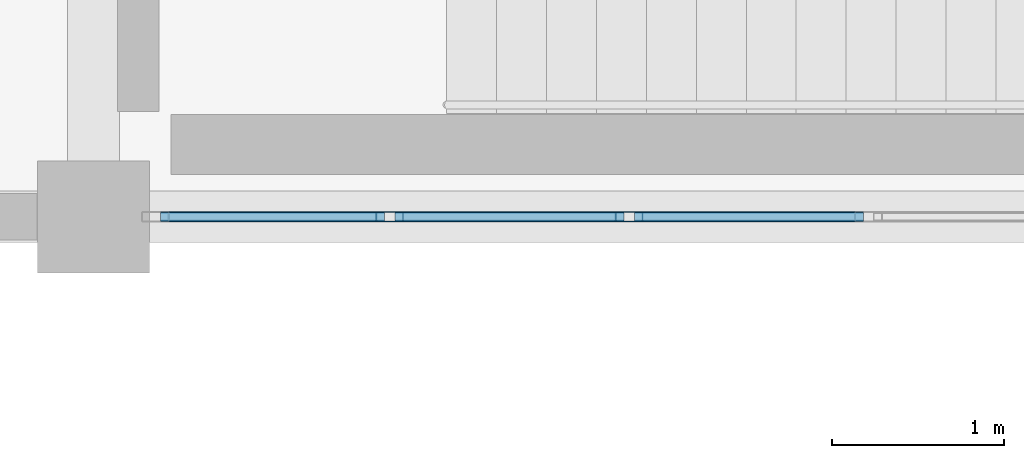
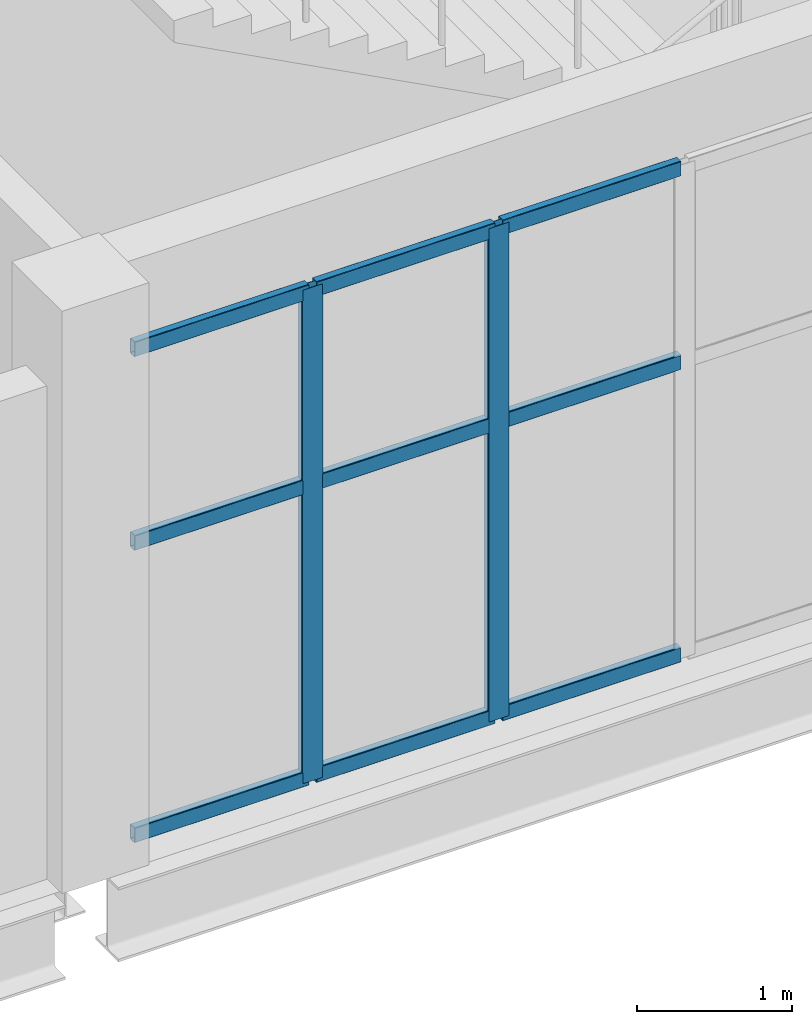
# One storey, part 119 of 172: 11 members, 1 element without a shape of its own.
"""IFC4 building model written with IfcOpenShell, lengths in metres."""

from ifc_helpers import new_model, si_unit, direction, frame, origin, origin_2d, place, context, subcontext, project, spatial, hollow_rectangle, extrude, material, material_profile, profile_set, type_object, element, aggregate, save


model = new_model("IFC4")

# Units and contexts
model_context = context("Model", 3, precision=1e-05, world=origin(), true_north=direction((0.0, 1.0)))
body_context = subcontext(model_context, "Body", "Model", "MODEL_VIEW")
ifc_project = project(units=[si_unit("LENGTHUNIT", "METRE"), si_unit("AREAUNIT", "SQUARE_METRE"), si_unit("VOLUMEUNIT", "CUBIC_METRE"), si_unit("PLANEANGLEUNIT", "RADIAN"), si_unit("MASSUNIT", "GRAM", prefix="KILO")], contexts=[model_context])

# Site, building, storey
site_placement = place(None, origin())
site = spatial("IfcSite", under=ifc_project, at=site_placement, CompositionType="ELEMENT")
building_placement = place(site_placement, origin())
building = spatial("IfcBuilding", under=site, at=building_placement, Name="Shengluoqiao Park Theatre", CompositionType="ELEMENT")
storey_placement = place(building_placement, frame((0.0, 0.0, 5.39990234375)))
storey = spatial("IfcBuildingStorey", under=building, at=storey_placement, Name="L01", CompositionType="ELEMENT", Elevation=5.39990234375)

# Curtain wall, members
ifc_material = material(Name="Aluminium 6063-T6", Category="aluminium")
curtain_wall_type = type_object("IfcCurtainWallType", Name="ENV-CW-CLERE", PredefinedType="NOTDEFINED", material=ifc_material)
curtain_wall_placement = place(storey_placement, origin())
curtain_wall = element("IfcCurtainWall", 1, at=curtain_wall_placement, inside=storey, type_object=curtain_wall_type, Name="L01 Curtain Wall CWX-L01-0178", PredefinedType="NOTDEFINED")
ifc_material_profile_1 = material_profile(ifc_material, hollow_rectangle(XDim=0.06005859375, YDim=0.159912109375, WallThickness=0.00390625, InnerFilletRadius=0.00390625, OuterFilletRadius=0.008056640625, at=origin_2d()), Name="ALU MULLION 160x60x4")
ifc_profile_set_1 = profile_set([ifc_material_profile_1], Name="Aluminium 6063-T6")
member_type_1 = type_object("IfcMemberType", Name="ENV-MUL-160", PredefinedType="MULLION", material=ifc_profile_set_1)
member_1_placement = place(storey_placement, frame((141.119384765625, 84.0, 0.0), z_axis=(0.0, 0.0, 1.0), x_axis=(0.0, 1.0, 0.0)))
member_1 = element("IfcMember", 2, at=member_1_placement, type_object=member_type_1, Name="CW-06 mullion 2", PredefinedType="MULLION", context=body_context, shape_type="SweptSolid", body=[
    extrude(hollow_rectangle(XDim=0.06005859375, YDim=0.159912109375, WallThickness=0.00390625, InnerFilletRadius=0.00390625, OuterFilletRadius=0.008056640625, at=origin_2d()), origin(), (0.0, 0.0, 1.0), 3.898193359375),
])
member_2_placement = place(storey_placement, frame((142.509765625, 84.0, 0.0), z_axis=(0.0, 0.0, 1.0), x_axis=(0.0, 1.0, 0.0)))
member_2 = element("IfcMember", 3, at=member_2_placement, type_object=member_type_1, Name="CW-06 mullion 3", PredefinedType="MULLION", context=body_context, shape_type="SweptSolid", body=[
    extrude(hollow_rectangle(XDim=0.06005859375, YDim=0.159912109375, WallThickness=0.00390625, InnerFilletRadius=0.00390625, OuterFilletRadius=0.008056640625, at=origin_2d()), origin(), (0.0, 0.0, 1.0), 3.898193359375),
])
ifc_material_profile_2 = material_profile(ifc_material, hollow_rectangle(XDim=0.06005859375, YDim=0.1201171875, WallThickness=0.00390625, InnerFilletRadius=0.00390625, OuterFilletRadius=0.008056640625, at=origin_2d()), Name="ALU TRANSOM 120x60x4")
ifc_profile_set_2 = profile_set([ifc_material_profile_2], Name="Aluminium 6063-T6")
member_type_2 = type_object("IfcMemberType", Name="ENV-TRN-120", PredefinedType="USERDEFINED", material=ifc_profile_set_2)
member_3_placement = place(storey_placement, frame((139.7890625, 84.0, 0.030029296875), z_axis=(1.0, 0.0, 0.0), x_axis=(0.0, 1.0, 0.0)))
member_3 = element("IfcMember", 4, at=member_3_placement, type_object=member_type_2, Name="CW-06 transom 1.1", ObjectType="TRANSOM", PredefinedType="USERDEFINED", context=body_context, shape_type="SweptSolid", body=[
    extrude(hollow_rectangle(XDim=0.06005859375, YDim=0.1201171875, WallThickness=0.00390625, InnerFilletRadius=0.00390625, OuterFilletRadius=0.008056640625, at=origin_2d()), origin(), (0.0, 0.0, 1.0), 1.30029296875),
])
member_4_placement = place(storey_placement, frame((139.7890625, 84.0, 2.339111328125), z_axis=(1.0, 0.0, 0.0), x_axis=(0.0, 1.0, 0.0)))
member_4 = element("IfcMember", 5, at=member_4_placement, type_object=member_type_2, Name="CW-06 transom 1.2", ObjectType="TRANSOM", PredefinedType="USERDEFINED", context=body_context, shape_type="SweptSolid", body=[
    extrude(hollow_rectangle(XDim=0.06005859375, YDim=0.1201171875, WallThickness=0.00390625, InnerFilletRadius=0.00390625, OuterFilletRadius=0.008056640625, at=origin_2d()), origin(), (0.0, 0.0, 1.0), 1.30029296875),
])
member_5_placement = place(storey_placement, frame((139.7890625, 84.0, 3.8681640625), z_axis=(1.0, 0.0, 0.0), x_axis=(0.0, 1.0, 0.0)))
member_5 = element("IfcMember", 6, at=member_5_placement, type_object=member_type_2, Name="CW-06 transom 1.3", ObjectType="TRANSOM", PredefinedType="USERDEFINED", context=body_context, shape_type="SweptSolid", body=[
    extrude(hollow_rectangle(XDim=0.06005859375, YDim=0.1201171875, WallThickness=0.00390625, InnerFilletRadius=0.00390625, OuterFilletRadius=0.008056640625, at=origin_2d()), origin(), (0.0, 0.0, 1.0), 1.30029296875),
])
member_6_placement = place(storey_placement, frame((141.1494140625, 84.0, 0.030029296875), z_axis=(1.0, 0.0, 0.0), x_axis=(0.0, 1.0, 0.0)))
member_6 = element("IfcMember", 7, at=member_6_placement, type_object=member_type_2, Name="CW-06 transom 2.1", ObjectType="TRANSOM", PredefinedType="USERDEFINED", context=body_context, shape_type="SweptSolid", body=[
    extrude(hollow_rectangle(XDim=0.06005859375, YDim=0.1201171875, WallThickness=0.00390625, InnerFilletRadius=0.00390625, OuterFilletRadius=0.008056640625, at=origin_2d()), origin(), (0.0, 0.0, 1.0), 1.330322265625),
])
member_7_placement = place(storey_placement, frame((141.1494140625, 84.0, 2.339111328125), z_axis=(1.0, 0.0, 0.0), x_axis=(0.0, 1.0, 0.0)))
member_7 = element("IfcMember", 8, at=member_7_placement, type_object=member_type_2, Name="CW-06 transom 2.2", ObjectType="TRANSOM", PredefinedType="USERDEFINED", context=body_context, shape_type="SweptSolid", body=[
    extrude(hollow_rectangle(XDim=0.06005859375, YDim=0.1201171875, WallThickness=0.00390625, InnerFilletRadius=0.00390625, OuterFilletRadius=0.008056640625, at=origin_2d()), origin(), (0.0, 0.0, 1.0), 1.330322265625),
])
member_8_placement = place(storey_placement, frame((141.1494140625, 84.0, 3.8681640625), z_axis=(1.0, 0.0, 0.0), x_axis=(0.0, 1.0, 0.0)))
member_8 = element("IfcMember", 9, at=member_8_placement, type_object=member_type_2, Name="CW-06 transom 2.3", ObjectType="TRANSOM", PredefinedType="USERDEFINED", context=body_context, shape_type="SweptSolid", body=[
    extrude(hollow_rectangle(XDim=0.06005859375, YDim=0.1201171875, WallThickness=0.00390625, InnerFilletRadius=0.00390625, OuterFilletRadius=0.008056640625, at=origin_2d()), origin(), (0.0, 0.0, 1.0), 1.330322265625),
])
member_9_placement = place(storey_placement, frame((142.53955078125, 84.0, 0.030029296875), z_axis=(1.0, 0.0, 0.0), x_axis=(0.0, 1.0, 0.0)))
member_9 = element("IfcMember", 10, at=member_9_placement, type_object=member_type_2, Name="CW-06 transom 3.1", ObjectType="TRANSOM", PredefinedType="USERDEFINED", context=body_context, shape_type="SweptSolid", body=[
    extrude(hollow_rectangle(XDim=0.06005859375, YDim=0.1201171875, WallThickness=0.00390625, InnerFilletRadius=0.00390625, OuterFilletRadius=0.008056640625, at=origin_2d()), origin(), (0.0, 0.0, 1.0), 1.33056640625),
])
member_10_placement = place(storey_placement, frame((142.53955078125, 84.0, 2.339111328125), z_axis=(1.0, 0.0, 0.0), x_axis=(0.0, 1.0, 0.0)))
member_10 = element("IfcMember", 11, at=member_10_placement, type_object=member_type_2, Name="CW-06 transom 3.2", ObjectType="TRANSOM", PredefinedType="USERDEFINED", context=body_context, shape_type="SweptSolid", body=[
    extrude(hollow_rectangle(XDim=0.06005859375, YDim=0.1201171875, WallThickness=0.00390625, InnerFilletRadius=0.00390625, OuterFilletRadius=0.008056640625, at=origin_2d()), origin(), (0.0, 0.0, 1.0), 1.33056640625),
])
member_11_placement = place(storey_placement, frame((142.53955078125, 84.0, 3.8681640625), z_axis=(1.0, 0.0, 0.0), x_axis=(0.0, 1.0, 0.0)))
member_11 = element("IfcMember", 12, at=member_11_placement, type_object=member_type_2, Name="CW-06 transom 3.3", ObjectType="TRANSOM", PredefinedType="USERDEFINED", context=body_context, shape_type="SweptSolid", body=[
    extrude(hollow_rectangle(XDim=0.06005859375, YDim=0.1201171875, WallThickness=0.00390625, InnerFilletRadius=0.00390625, OuterFilletRadius=0.008056640625, at=origin_2d()), origin(), (0.0, 0.0, 1.0), 1.33056640625),
])
aggregate(curtain_wall, [member_1, member_2, member_3, member_4, member_5, member_6, member_7, member_8, member_9, member_10, member_11])

save(model, "model.ifc")
